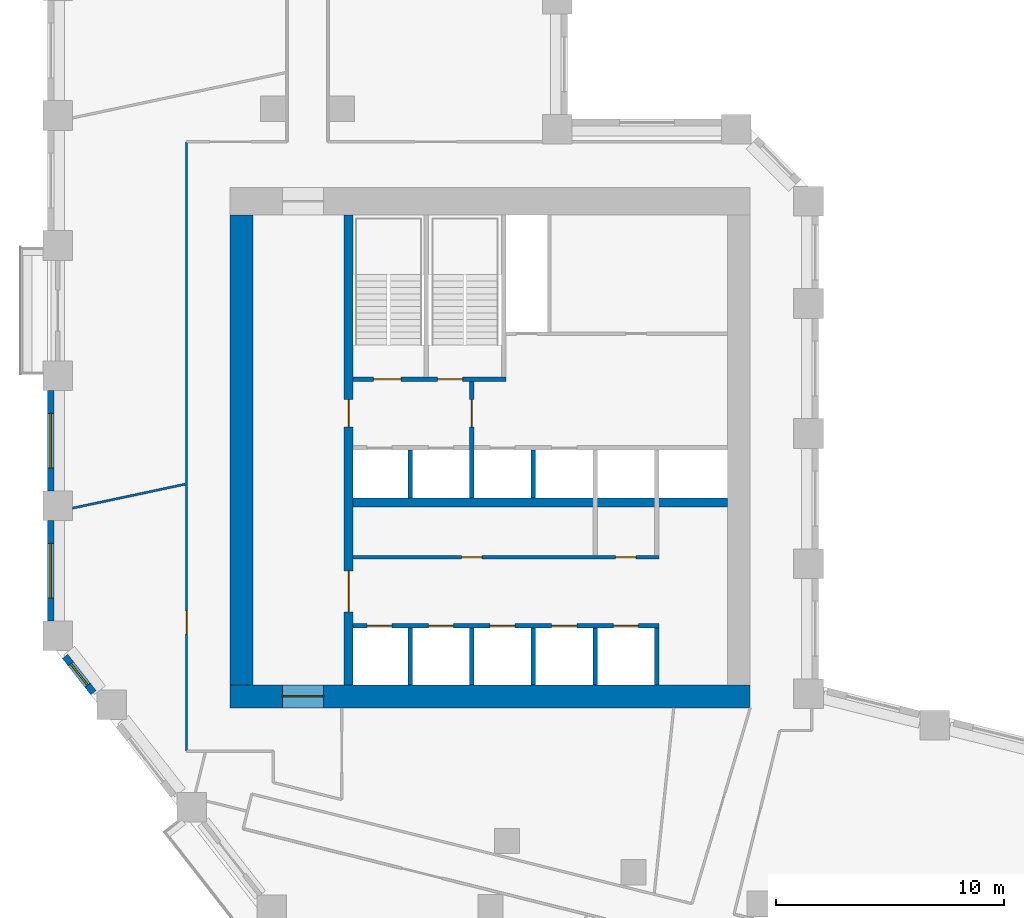
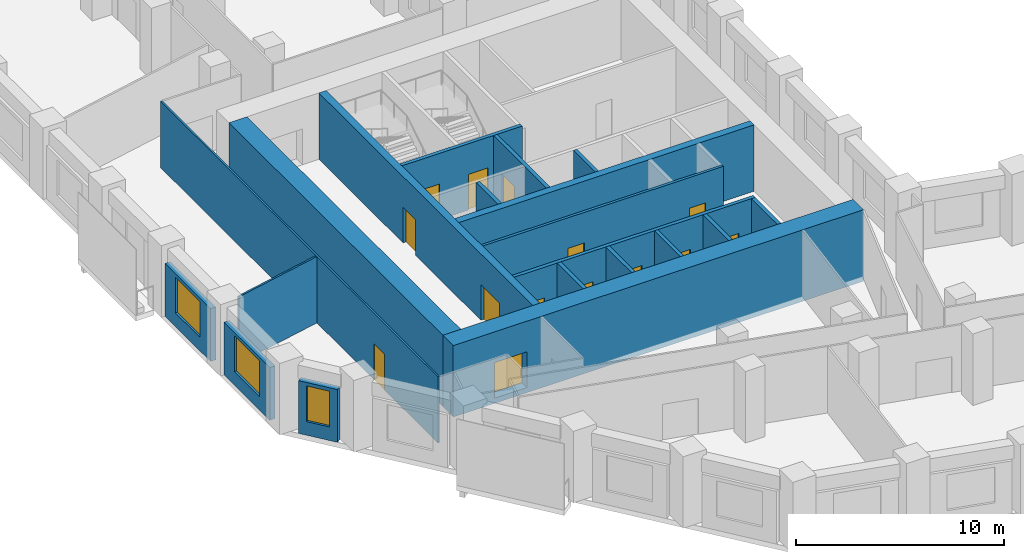
# One storey, part 4 of 11: 20 walls, 14 doors, 3 windows, 17 openings.
"""IFC4 building model written with IfcOpenShell, lengths in metres."""

from ifc_helpers import new_model, si_unit, direction, frame, frame_2d, origin, place, context, subcontext, project, spatial, rectangle, extrude, material, layer, layer_set, type_object, element, fill, save


model = new_model("IFC4")

# Units and contexts
model_context = context("Model", 3, precision=1e-05, world=origin(), true_north=direction((0.0, 1.0)))
body_context = subcontext(model_context, "Body", "Model", "MODEL_VIEW")
ifc_project = project(units=[si_unit("LENGTHUNIT", "METRE"), si_unit("AREAUNIT", "SQUARE_METRE"), si_unit("VOLUMEUNIT", "CUBIC_METRE"), si_unit("PLANEANGLEUNIT", "RADIAN"), si_unit("MASSUNIT", "GRAM", prefix="KILO")], contexts=[model_context])

# Site, building, storey
site_placement = place(None, origin())
site = spatial("IfcSite", under=ifc_project, at=site_placement, CompositionType="ELEMENT")
building_placement = place(site_placement, origin())
building = spatial("IfcBuilding", under=site, at=building_placement, Name="Meshkara Civic Tower", CompositionType="ELEMENT")
storey_placement = place(building_placement, frame((0.0, 0.0, 139.199951171875)))
storey = spatial("IfcBuildingStorey", under=building, at=storey_placement, Name="L31", CompositionType="ELEMENT", Elevation=139.199951171875)

# Wall, openings, doors
ifc_material_1 = material(Name="Blockwork", Category="masonry")
ifc_layer_1 = layer(ifc_material_1, 0.14990234375)
ifc_layer_set_1 = layer_set([ifc_layer_1], Name="Core partition 150")
wall_type_1 = type_object("IfcWallType", Name="Core partition 150", PredefinedType="PARTITIONING", material=ifc_layer_set_1)
wall_1_placement = place(storey_placement, frame((13.39990234375, 20.699951171875, 0.0), z_axis=(0.0, 0.0, 1.0), x_axis=(1.0, 0.0, 0.0)))
wall_1 = element("IfcWall", 1, at=wall_1_placement, inside=storey, type_object=wall_type_1, Name="L31-C006", PredefinedType="PARTITIONING", context=body_context, shape_type="SweptSolid", body=[
    extrude(rectangle(XDim=13.400146484375, YDim=0.14990234375, at=frame_2d((6.7001953125, 0.0))), origin(), (0.0, 0.0, 1.0), 3.900146484375),
])
opening_1_placement = place(wall_1_placement, frame((4.75, 0.0, 0.0)))
opening_1 = element("IfcOpeningElement", 2, at=opening_1_placement, cuts=wall_1, Name="Opening L31-K010", PredefinedType="OPENING", context=body_context, shape_type="SweptSolid", body=[
    extrude(rectangle(XDim=0.89990234375, YDim=2.10009765625, at=frame_2d((0.449951171875, 1.050048828125))), frame((0.0, 0.0849609375, 0.0), z_axis=(0.0, -1.0, 0.0), x_axis=(1.0, 0.0, 0.0)), (0.0, 0.0, 1.0), 0.169921875),
])
opening_2_placement = place(wall_1_placement, frame((11.5, 0.0, 0.0)))
opening_2 = element("IfcOpeningElement", 3, at=opening_2_placement, cuts=wall_1, Name="Opening L31-K011", PredefinedType="OPENING", context=body_context, shape_type="SweptSolid", body=[
    extrude(rectangle(XDim=0.89990234375, YDim=2.10009765625, at=frame_2d((0.449951171875, 1.050048828125))), frame((0.0, 0.0849609375, 0.0), z_axis=(0.0, -1.0, 0.0), x_axis=(1.0, 0.0, 0.0)), (0.0, 0.0, 1.0), 0.169921875),
])
ifc_material_2 = material(Name="Timber door leaf in steel frame", Category="steel")
door_type_1 = type_object("IfcDoorType", Name="Core room door 900", OperationType="SINGLE_SWING_LEFT", PredefinedType="DOOR", material=ifc_material_2)
door_1_placement = place(opening_1_placement, origin())
door_1 = element("IfcDoor", 4, at=door_1_placement, inside=storey, type_object=door_type_1, Name="L31-K010", OperationType="SINGLE_SWING_RIGHT", OverallHeight=2.10009765625, OverallWidth=0.89990234375, PredefinedType="DOOR", context=body_context, shape_type="SweptSolid", body=[
    extrude(rectangle(XDim=0.89990234375, YDim=2.10009765625, at=frame_2d((0.449951171875, 1.050048828125))), frame((0.0, 0.02490234375, 0.0), z_axis=(0.0, -1.0, 0.0), x_axis=(1.0, 0.0, 0.0)), (0.0, 0.0, 1.0), 0.050048828125),
])
fill(opening_1, door_1)
door_2_placement = place(opening_2_placement, origin())
door_2 = element("IfcDoor", 5, at=door_2_placement, inside=storey, type_object=door_type_1, Name="L31-K011", OperationType="SINGLE_SWING_RIGHT", OverallHeight=2.10009765625, OverallWidth=0.89990234375, PredefinedType="DOOR", context=body_context, shape_type="SweptSolid", body=[
    extrude(rectangle(XDim=0.89990234375, YDim=2.10009765625, at=frame_2d((0.449951171875, 1.050048828125))), frame((0.0, 0.02490234375, 0.0), z_axis=(0.0, -1.0, 0.0), x_axis=(1.0, 0.0, 0.0)), (0.0, 0.0, 1.0), 0.050048828125),
])
fill(opening_2, door_2)

# Wall, opening, door
ifc_material_3 = material(Name="Concrete C70", Category="concrete")
ifc_layer_2 = layer(ifc_material_3, 1.0)
ifc_layer_set_2 = layer_set([ifc_layer_2], Name="Core ring wall 1000 C70")
wall_type_2 = type_object("IfcWallType", Name="Core ring wall 1000 C70", PredefinedType="SHEAR", material=ifc_layer_set_2)
wall_2_placement = place(storey_placement, frame((8.0, 14.60009765625, -0.300048828125), z_axis=(0.0, 0.0, 1.0), x_axis=(1.0, 0.0, 0.0)))
wall_2 = element("IfcWall", 6, at=wall_2_placement, inside=storey, type_object=wall_type_2, Name="L31-C001", PredefinedType="SHEAR", context=body_context, shape_type="SweptSolid", body=[
    extrude(rectangle(XDim=22.800048828125, YDim=1.0, at=frame_2d((11.39990234375, 0.0))), origin(), (0.0, 0.0, 1.0), 4.2001953125),
])
opening_3_placement = place(wall_2_placement, frame((2.300048828125, 0.0, 0.300048828125)))
opening_3 = element("IfcOpeningElement", 7, at=opening_3_placement, cuts=wall_2, Name="Opening L31-K020", PredefinedType="OPENING", context=body_context, shape_type="SweptSolid", body=[
    extrude(rectangle(XDim=1.800048828125, YDim=2.10009765625, at=frame_2d((0.89990234375, 1.050048828125))), frame((0.0, 0.510009765625, 0.0), z_axis=(0.0, -1.0, 0.0), x_axis=(1.0, 0.0, 0.0)), (0.0, 0.0, 1.0), 1.02001953125),
])
ifc_material_4 = material(Name="Fire-rated door leaf in steel frame", Category="steel")
door_type_2 = type_object("IfcDoorType", Name="Core double door 1800 EI 60", OperationType="DOUBLE_DOOR_SINGLE_SWING", PredefinedType="DOOR", material=ifc_material_4)
door_3_placement = place(opening_3_placement, origin())
door_3 = element("IfcDoor", 8, at=door_3_placement, inside=storey, type_object=door_type_2, Name="L31-K020", OperationType="DOUBLE_DOOR_SINGLE_SWING", OverallHeight=2.10009765625, OverallWidth=1.800048828125, PredefinedType="DOOR", context=body_context, shape_type="SweptSolid", body=[
    extrude(rectangle(XDim=1.800048828125, YDim=2.10009765625, at=frame_2d((0.89990234375, 1.050048828125))), frame((0.0, 0.02490234375, 0.0), z_axis=(0.0, -1.0, 0.0), x_axis=(1.0, 0.0, 0.0)), (0.0, 0.0, 1.0), 0.050048828125),
])
fill(opening_3, door_3)

# Walls
wall_3_placement = place(storey_placement, frame((8.5, 15.10009765625, -0.300048828125), z_axis=(0.0, 0.0, 1.0), x_axis=(0.0, 1.0, 0.0)))
element("IfcWall", 9, at=wall_3_placement, inside=storey, type_object=wall_type_2, Name="L31-C003", PredefinedType="SHEAR", context=body_context, shape_type="SweptSolid", body=[
    extrude(rectangle(XDim=20.599853515625, YDim=1.0, at=frame_2d((10.2998046875, 0.0))), origin(), (0.0, 0.0, 1.0), 4.2001953125),
])
ifc_material_5 = material(Name="Concrete C70", Category="concrete")
ifc_layer_3 = layer(ifc_material_5, 0.39990234375)
ifc_layer_set_3 = layer_set([ifc_layer_3], Name="Core shear wall 400 C70")
wall_type_3 = type_object("IfcWallType", Name="Core shear wall 400 C70", PredefinedType="SHEAR", material=ifc_layer_set_3)
wall_4_placement = place(storey_placement, frame((13.39990234375, 23.10009765625, 0.0), z_axis=(0.0, 0.0, 1.0), x_axis=(1.0, 0.0, 0.0)))
element("IfcWall", 10, at=wall_4_placement, inside=storey, type_object=wall_type_3, Name="L31-C007", PredefinedType="SHEAR", context=body_context, shape_type="SweptSolid", body=[
    extrude(rectangle(XDim=16.400146484375, YDim=0.39990234375, at=frame_2d((8.2001953125, 0.0))), origin(), (0.0, 0.0, 1.0), 3.900146484375),
])

# Wall, openings, doors
wall_5_placement = place(storey_placement, frame((13.199951171875, 15.10009765625, 0.0), z_axis=(0.0, 0.0, 1.0), x_axis=(0.0, 1.0, 0.0)))
wall_5 = element("IfcWall", 11, at=wall_5_placement, inside=storey, type_object=wall_type_3, Name="L31-C011", PredefinedType="SHEAR", context=body_context, shape_type="SweptSolid", body=[
    extrude(rectangle(XDim=20.599853515625, YDim=0.39990234375, at=frame_2d((10.2998046875, 0.0))), origin(), (0.0, 0.0, 1.0), 3.900146484375),
])
opening_4_placement = place(wall_5_placement, frame((3.199951171875, 0.0, 0.0)))
opening_4 = element("IfcOpeningElement", 12, at=opening_4_placement, cuts=wall_5, Name="Opening L31-K016", PredefinedType="OPENING", context=body_context, shape_type="SweptSolid", body=[
    extrude(rectangle(XDim=1.800048828125, YDim=2.10009765625, at=frame_2d((0.89990234375, 1.050048828125))), frame((0.0, 0.2099609375, 0.0), z_axis=(0.0, -1.0, 0.0), x_axis=(1.0, 0.0, 0.0)), (0.0, 0.0, 1.0), 0.419921875),
])
opening_5_placement = place(wall_5_placement, frame((11.300048828125, 0.0, 0.0)))
opening_5 = element("IfcOpeningElement", 13, at=opening_5_placement, cuts=wall_5, Name="Opening L31-K017", PredefinedType="OPENING", context=body_context, shape_type="SweptSolid", body=[
    extrude(rectangle(XDim=1.199951171875, YDim=2.10009765625, at=frame_2d((0.60009765625, 1.050048828125))), frame((0.0, 0.2099609375, 0.0), z_axis=(0.0, -1.0, 0.0), x_axis=(1.0, 0.0, 0.0)), (0.0, 0.0, 1.0), 0.419921875),
])
door_4_placement = place(opening_4_placement, origin())
door_4 = element("IfcDoor", 14, at=door_4_placement, inside=storey, type_object=door_type_2, Name="L31-K016", OperationType="DOUBLE_DOOR_SINGLE_SWING", OverallHeight=2.10009765625, OverallWidth=1.800048828125, PredefinedType="DOOR", context=body_context, shape_type="SweptSolid", body=[
    extrude(rectangle(XDim=1.800048828125, YDim=2.10009765625, at=frame_2d((0.89990234375, 1.050048828125))), frame((0.0, 0.02490234375, 0.0), z_axis=(0.0, -1.0, 0.0), x_axis=(1.0, 0.0, 0.0)), (0.0, 0.0, 1.0), 0.050048828125),
])
fill(opening_4, door_4)
ifc_material_6 = material(Name="Fire-rated door leaf in steel frame", Category="steel")
door_type_3 = type_object("IfcDoorType", Name="Fire-fighting lobby door 1200 EI 120", OperationType="SINGLE_SWING_LEFT", PredefinedType="DOOR", material=ifc_material_6)
door_5_placement = place(opening_5_placement, origin())
door_5 = element("IfcDoor", 15, at=door_5_placement, inside=storey, type_object=door_type_3, Name="L31-K017", OperationType="SINGLE_SWING_LEFT", OverallHeight=2.10009765625, OverallWidth=1.199951171875, PredefinedType="DOOR", context=body_context, shape_type="SweptSolid", body=[
    extrude(rectangle(XDim=1.199951171875, YDim=2.10009765625, at=frame_2d((0.60009765625, 1.050048828125))), frame((0.0, 0.02490234375, 0.0), z_axis=(0.0, -1.0, 0.0), x_axis=(1.0, 0.0, 0.0)), (0.0, 0.0, 1.0), 0.050048828125),
])
fill(opening_5, door_5)

# Wall, opening, door
ifc_material_7 = material(Name="Corridor wall 100")
ifc_layer_4 = layer(ifc_material_7, 0.10009765625)
ifc_layer_set_4 = layer_set([ifc_layer_4], Name="Corridor wall 100")
wall_type_4 = type_object("IfcWallType", Name="Corridor wall 100", PredefinedType="PARTITIONING", material=ifc_layer_set_4)
wall_6_placement = place(storey_placement, frame((6.10009765625, 38.89990234375, 0.0), z_axis=(0.0, 0.0, 1.0), x_axis=(0.0, -1.0, 0.0)))
wall_6 = element("IfcWall", 16, at=wall_6_placement, inside=storey, type_object=wall_type_4, Name="L31-W005", PredefinedType="PARTITIONING", context=body_context, shape_type="SweptSolid", body=[
    extrude(rectangle(XDim=26.699951171875, YDim=0.10009765625, at=frame_2d((13.35009765625, 0.0))), origin(), (0.0, 0.0, 1.0), 3.900146484375),
])
opening_6_placement = place(wall_6_placement, frame((20.569091796875, 0.0, 0.0)))
opening_6 = element("IfcOpeningElement", 17, at=opening_6_placement, cuts=wall_6, Name="Opening L31-D014", PredefinedType="OPENING", context=body_context, shape_type="SweptSolid", body=[
    extrude(rectangle(XDim=1.0, YDim=2.10009765625, at=frame_2d((0.5, 1.050048828125))), frame((0.0, 0.06005859375, 0.0), z_axis=(0.0, -1.0, 0.0), x_axis=(1.0, 0.0, 0.0)), (0.0, 0.0, 1.0), 0.1201171875),
])
ifc_material_8 = material(Name="Door 1000 x 2100")
door_type_4 = type_object("IfcDoorType", Name="Door 1000 x 2100", OperationType="SINGLE_SWING_LEFT", PredefinedType="DOOR", material=ifc_material_8)
door_6_placement = place(opening_6_placement, origin())
door_6 = element("IfcDoor", 18, at=door_6_placement, inside=storey, type_object=door_type_4, Name="L31-D014", OperationType="SINGLE_SWING_LEFT", OverallHeight=2.10009765625, OverallWidth=1.0, PredefinedType="DOOR", context=body_context, shape_type="SweptSolid", body=[
    extrude(rectangle(XDim=1.0, YDim=2.10009765625, at=frame_2d((0.5, 1.050048828125))), frame((0.0, 0.02490234375, 0.0), z_axis=(0.0, -1.0, 0.0), x_axis=(1.0, 0.0, 0.0)), (0.0, 0.0, 1.0), 0.050048828125),
])
fill(opening_6, door_6)

# Wall, opening, window
ifc_material_9 = material(Name="Insulated infill panel with bronze anodised aluminium cladding", Category="aluminium")
ifc_layer_5 = layer(ifc_material_9, 0.300048828125)
ifc_layer_set_5 = layer_set([ifc_layer_5], Name="EXTERNAL INFILL WALL 300")
wall_type_5 = type_object("IfcWallType", Name="EXTERNAL INFILL WALL 300", PredefinedType="SOLIDWALL", material=ifc_layer_set_5)
wall_7_placement = place(storey_placement, frame((0.14990234375, 28.0048828125, 0.0), z_axis=(0.0, 0.0, 1.0), x_axis=(0.0, -1.0, 0.0)))
wall_7 = element("IfcWall", 19, at=wall_7_placement, inside=storey, type_object=wall_type_5, Name="External wall", PredefinedType="SOLIDWALL", context=body_context, shape_type="SweptSolid", body=[
    extrude(rectangle(XDim=4.39990234375, YDim=0.300048828125, at=frame_2d((2.199951171875, 0.0))), origin(), (0.0, 0.0, 1.0), 3.10009765625),
])
opening_7_placement = place(wall_7_placement, frame((1.0, 0.0, 0.800048828125)))
opening_7 = element("IfcOpeningElement", 20, at=opening_7_placement, cuts=wall_7, Name="Opening W7", PredefinedType="OPENING", context=body_context, shape_type="SweptSolid", body=[
    extrude(rectangle(XDim=2.39990234375, YDim=2.10009765625, at=frame_2d((1.199951171875, 1.050048828125))), frame((0.0, 0.159912109375, 0.0), z_axis=(0.0, -1.0, 0.0), x_axis=(1.0, 0.0, 0.0)), (0.0, 0.0, 1.0), 0.320068359375),
])
ifc_material_10 = material(Name="Tinted double glazing", Category="glass")
window_type_1 = type_object("IfcWindowType", Name="WINDOW 2400x2100", PartitioningType="DOUBLE_PANEL_VERTICAL", PredefinedType="WINDOW", material=ifc_material_10)
window_1_placement = place(opening_7_placement, origin())
window_1 = element("IfcWindow", 21, at=window_1_placement, inside=storey, type_object=window_type_1, Name="Window", OverallHeight=2.10009765625, OverallWidth=2.39990234375, PartitioningType="DOUBLE_PANEL_VERTICAL", PredefinedType="WINDOW", context=body_context, shape_type="SweptSolid", body=[
    extrude(rectangle(XDim=2.39990234375, YDim=2.10009765625, at=frame_2d((1.199951171875, 1.050048828125))), frame((0.0, 0.030029296875, 0.0), z_axis=(0.0, -1.0, 0.0), x_axis=(1.0, 0.0, 0.0)), (0.0, 0.0, 1.0), 0.06005859375),
])
fill(opening_7, window_1)

wall_8_placement = place(storey_placement, frame((0.14990234375, 22.304931640625, 0.0), z_axis=(0.0, 0.0, 1.0), x_axis=(0.0, -1.0, 0.0)))
wall_8 = element("IfcWall", 22, at=wall_8_placement, inside=storey, type_object=wall_type_5, Name="External wall", PredefinedType="SOLIDWALL", context=body_context, shape_type="SweptSolid", body=[
    extrude(rectangle(XDim=4.39990234375, YDim=0.300048828125, at=frame_2d((2.199951171875, 0.0))), origin(), (0.0, 0.0, 1.0), 3.10009765625),
])
opening_8_placement = place(wall_8_placement, frame((1.0, 0.0, 0.800048828125)))
opening_8 = element("IfcOpeningElement", 23, at=opening_8_placement, cuts=wall_8, Name="Opening W7", PredefinedType="OPENING", context=body_context, shape_type="SweptSolid", body=[
    extrude(rectangle(XDim=2.39990234375, YDim=2.10009765625, at=frame_2d((1.199951171875, 1.050048828125))), frame((0.0, 0.159912109375, 0.0), z_axis=(0.0, -1.0, 0.0), x_axis=(1.0, 0.0, 0.0)), (0.0, 0.0, 1.0), 0.320068359375),
])
window_2_placement = place(opening_8_placement, origin())
window_2 = element("IfcWindow", 24, at=window_2_placement, inside=storey, type_object=window_type_1, Name="Window", OverallHeight=2.10009765625, OverallWidth=2.39990234375, PartitioningType="DOUBLE_PANEL_VERTICAL", PredefinedType="WINDOW", context=body_context, shape_type="SweptSolid", body=[
    extrude(rectangle(XDim=2.39990234375, YDim=2.10009765625, at=frame_2d((1.199951171875, 1.050048828125))), frame((0.0, 0.030029296875, 0.0), z_axis=(0.0, -1.0, 0.0), x_axis=(1.0, 0.0, 0.0)), (0.0, 0.0, 1.0), 0.06005859375),
])
fill(opening_8, window_2)

wall_9_placement = place(storey_placement, frame((0.77490234375, 16.35107421875, 0.0), z_axis=(0.0, 0.0, 1.0), x_axis=(0.6157921118, -0.787908671766, 0.0)))
wall_9 = element("IfcWall", 25, at=wall_9_placement, inside=storey, type_object=wall_type_5, Name="External wall", PredefinedType="SOLIDWALL", context=body_context, shape_type="SweptSolid", body=[
    extrude(rectangle(XDim=2.015625, YDim=0.300048828125, at=frame_2d((1.0078125, 0.0))), origin(), (0.0, 0.0, 1.0), 3.10009765625),
])
opening_9_placement = place(wall_9_placement, frame((0.407958984375, 0.0, 0.800048828125)))
opening_9 = element("IfcOpeningElement", 26, at=opening_9_placement, cuts=wall_9, Name="Opening W3", PredefinedType="OPENING", context=body_context, shape_type="SweptSolid", body=[
    extrude(rectangle(XDim=1.199951171875, YDim=2.10009765625, at=frame_2d((0.60009765625, 1.050048828125))), frame((0.0, 0.159912109375, 0.0), z_axis=(0.0, -1.0, 0.0), x_axis=(1.0, 0.0, 0.0)), (0.0, 0.0, 1.0), 0.320068359375),
])
ifc_material_11 = material(Name="Tinted double glazing", Category="glass")
window_type_2 = type_object("IfcWindowType", Name="WINDOW 1200x2100", PartitioningType="SINGLE_PANEL", PredefinedType="WINDOW", material=ifc_material_11)
window_3_placement = place(opening_9_placement, origin())
window_3 = element("IfcWindow", 27, at=window_3_placement, inside=storey, type_object=window_type_2, Name="Window", OverallHeight=2.10009765625, OverallWidth=1.199951171875, PartitioningType="SINGLE_PANEL", PredefinedType="WINDOW", context=body_context, shape_type="SweptSolid", body=[
    extrude(rectangle(XDim=1.199951171875, YDim=2.10009765625, at=frame_2d((0.60009765625, 1.050048828125))), frame((0.0, 0.030029296875, 0.0), z_axis=(0.0, -1.0, 0.0), x_axis=(1.0, 0.0, 0.0)), (0.0, 0.0, 1.0), 0.06005859375),
])
fill(opening_9, window_3)

# Wall
ifc_material_12 = material(Name="Partition 100")
ifc_layer_6 = layer(ifc_material_12, 0.10009765625)
ifc_layer_set_6 = layer_set([ifc_layer_6], Name="Partition 100")
wall_type_6 = type_object("IfcWallType", Name="Partition 100", PredefinedType="PARTITIONING", material=ifc_layer_set_6)
wall_10_placement = place(storey_placement, frame((6.0400390625, 23.89794921875, 0.0), z_axis=(0.0, 0.0, 1.0), x_axis=(-0.978146317441, -0.207917728146, 0.0)))
element("IfcWall", 28, at=wall_10_placement, inside=storey, type_object=wall_type_6, Name="L31-W033", PredefinedType="PARTITIONING", context=body_context, shape_type="SweptSolid", body=[
    extrude(rectangle(XDim=5.05029296875, YDim=0.10009765625, at=frame_2d((2.525146484375, 0.0))), origin(), (0.0, 0.0, 1.0), 3.900146484375),
])

# Wall, openings, doors
ifc_material_13 = material(Name="Concrete C40/50", Category="concrete")
ifc_layer_7 = layer(ifc_material_13, 0.199951171875)
ifc_layer_set_7 = layer_set([ifc_layer_7], Name="Shaft wall 200 C40/50")
wall_type_7 = type_object("IfcWallType", Name="Shaft wall 200 C40/50", PredefinedType="SOLIDWALL", material=ifc_layer_set_7)
wall_11_placement = place(storey_placement, frame((13.39990234375, 17.699951171875, 0.0), z_axis=(0.0, 0.0, 1.0), x_axis=(1.0, 0.0, 0.0)))
wall_11 = element("IfcWall", 29, at=wall_11_placement, inside=storey, type_object=wall_type_7, Name="L31-C005", PredefinedType="SOLIDWALL", context=body_context, shape_type="SweptSolid", body=[
    extrude(rectangle(XDim=13.400146484375, YDim=0.199951171875, at=frame_2d((6.7001953125, 0.0))), origin(), (0.0, 0.0, 1.0), 3.900146484375),
])
opening_10_placement = place(wall_11_placement, frame((0.60009765625, 0.0, 0.0)))
opening_10 = element("IfcOpeningElement", 30, at=opening_10_placement, cuts=wall_11, Name="Opening L31-K001", PredefinedType="OPENING", context=body_context, shape_type="SweptSolid", body=[
    extrude(rectangle(XDim=1.10009765625, YDim=2.10009765625, at=frame_2d((0.550048828125, 1.050048828125))), frame((0.0, 0.10986328125, 0.0), z_axis=(0.0, -1.0, 0.0), x_axis=(1.0, 0.0, 0.0)), (0.0, 0.0, 1.0), 0.219970703125),
])
opening_11_placement = place(wall_11_placement, frame((3.300048828125, 0.0, 0.0)))
opening_11 = element("IfcOpeningElement", 31, at=opening_11_placement, cuts=wall_11, Name="Opening L31-K002", PredefinedType="OPENING", context=body_context, shape_type="SweptSolid", body=[
    extrude(rectangle(XDim=1.10009765625, YDim=2.10009765625, at=frame_2d((0.550048828125, 1.050048828125))), frame((0.0, 0.10986328125, 0.0), z_axis=(0.0, -1.0, 0.0), x_axis=(1.0, 0.0, 0.0)), (0.0, 0.0, 1.0), 0.219970703125),
])
opening_12_placement = place(wall_11_placement, frame((6.0, 0.0, 0.0)))
opening_12 = element("IfcOpeningElement", 32, at=opening_12_placement, cuts=wall_11, Name="Opening L31-K003", PredefinedType="OPENING", context=body_context, shape_type="SweptSolid", body=[
    extrude(rectangle(XDim=1.10009765625, YDim=2.10009765625, at=frame_2d((0.550048828125, 1.050048828125))), frame((0.0, 0.10986328125, 0.0), z_axis=(0.0, -1.0, 0.0), x_axis=(1.0, 0.0, 0.0)), (0.0, 0.0, 1.0), 0.219970703125),
])
opening_13_placement = place(wall_11_placement, frame((8.699951171875, 0.0, 0.0)))
opening_13 = element("IfcOpeningElement", 33, at=opening_13_placement, cuts=wall_11, Name="Opening L31-K004", PredefinedType="OPENING", context=body_context, shape_type="SweptSolid", body=[
    extrude(rectangle(XDim=1.10009765625, YDim=2.10009765625, at=frame_2d((0.550048828125, 1.050048828125))), frame((0.0, 0.10986328125, 0.0), z_axis=(0.0, -1.0, 0.0), x_axis=(1.0, 0.0, 0.0)), (0.0, 0.0, 1.0), 0.219970703125),
])
opening_14_placement = place(wall_11_placement, frame((11.39990234375, 0.0, 0.0)))
opening_14 = element("IfcOpeningElement", 34, at=opening_14_placement, cuts=wall_11, Name="Opening L31-K005", PredefinedType="OPENING", context=body_context, shape_type="SweptSolid", body=[
    extrude(rectangle(XDim=1.10009765625, YDim=2.10009765625, at=frame_2d((0.550048828125, 1.050048828125))), frame((0.0, 0.10986328125, 0.0), z_axis=(0.0, -1.0, 0.0), x_axis=(1.0, 0.0, 0.0)), (0.0, 0.0, 1.0), 0.219970703125),
])
ifc_material_14 = material(Name="Stainless steel landing door", Category="steel")
door_type_5 = type_object("IfcDoorType", Name="Lift landing door 1100", OperationType="SLIDING_TO_LEFT", PredefinedType="DOOR", material=ifc_material_14)
door_7_placement = place(opening_10_placement, origin())
door_7 = element("IfcDoor", 35, at=door_7_placement, inside=storey, type_object=door_type_5, Name="L31-K001", OperationType="SLIDING_TO_LEFT", OverallHeight=2.10009765625, OverallWidth=1.10009765625, PredefinedType="DOOR", context=body_context, shape_type="SweptSolid", body=[
    extrude(rectangle(XDim=1.10009765625, YDim=2.10009765625, at=frame_2d((0.550048828125, 1.050048828125))), frame((0.0, 0.02490234375, 0.0), z_axis=(0.0, -1.0, 0.0), x_axis=(1.0, 0.0, 0.0)), (0.0, 0.0, 1.0), 0.050048828125),
])
fill(opening_10, door_7)
door_8_placement = place(opening_11_placement, origin())
door_8 = element("IfcDoor", 36, at=door_8_placement, inside=storey, type_object=door_type_5, Name="L31-K002", OperationType="SLIDING_TO_LEFT", OverallHeight=2.10009765625, OverallWidth=1.10009765625, PredefinedType="DOOR", context=body_context, shape_type="SweptSolid", body=[
    extrude(rectangle(XDim=1.10009765625, YDim=2.10009765625, at=frame_2d((0.550048828125, 1.050048828125))), frame((0.0, 0.02490234375, 0.0), z_axis=(0.0, -1.0, 0.0), x_axis=(1.0, 0.0, 0.0)), (0.0, 0.0, 1.0), 0.050048828125),
])
fill(opening_11, door_8)
door_9_placement = place(opening_12_placement, origin())
door_9 = element("IfcDoor", 37, at=door_9_placement, inside=storey, type_object=door_type_5, Name="L31-K003", OperationType="SLIDING_TO_LEFT", OverallHeight=2.10009765625, OverallWidth=1.10009765625, PredefinedType="DOOR", context=body_context, shape_type="SweptSolid", body=[
    extrude(rectangle(XDim=1.10009765625, YDim=2.10009765625, at=frame_2d((0.550048828125, 1.050048828125))), frame((0.0, 0.02490234375, 0.0), z_axis=(0.0, -1.0, 0.0), x_axis=(1.0, 0.0, 0.0)), (0.0, 0.0, 1.0), 0.050048828125),
])
fill(opening_12, door_9)
door_10_placement = place(opening_13_placement, origin())
door_10 = element("IfcDoor", 38, at=door_10_placement, inside=storey, type_object=door_type_5, Name="L31-K004", OperationType="SLIDING_TO_LEFT", OverallHeight=2.10009765625, OverallWidth=1.10009765625, PredefinedType="DOOR", context=body_context, shape_type="SweptSolid", body=[
    extrude(rectangle(XDim=1.10009765625, YDim=2.10009765625, at=frame_2d((0.550048828125, 1.050048828125))), frame((0.0, 0.02490234375, 0.0), z_axis=(0.0, -1.0, 0.0), x_axis=(1.0, 0.0, 0.0)), (0.0, 0.0, 1.0), 0.050048828125),
])
fill(opening_13, door_10)
door_11_placement = place(opening_14_placement, origin())
door_11 = element("IfcDoor", 39, at=door_11_placement, inside=storey, type_object=door_type_5, Name="L31-K005", OperationType="SLIDING_TO_LEFT", OverallHeight=2.10009765625, OverallWidth=1.10009765625, PredefinedType="DOOR", context=body_context, shape_type="SweptSolid", body=[
    extrude(rectangle(XDim=1.10009765625, YDim=2.10009765625, at=frame_2d((0.550048828125, 1.050048828125))), frame((0.0, 0.02490234375, 0.0), z_axis=(0.0, -1.0, 0.0), x_axis=(1.0, 0.0, 0.0)), (0.0, 0.0, 1.0), 0.050048828125),
])
fill(opening_14, door_11)

# Walls
wall_12_placement = place(storey_placement, frame((15.89990234375, 15.10009765625, 0.0), z_axis=(0.0, 0.0, 1.0), x_axis=(0.0, 1.0, 0.0)))
element("IfcWall", 40, at=wall_12_placement, inside=storey, type_object=wall_type_7, Name="L31-C012", PredefinedType="SOLIDWALL", context=body_context, shape_type="SweptSolid", body=[
    extrude(rectangle(XDim=2.5, YDim=0.199951171875, at=frame_2d((1.25, 0.0))), origin(), (0.0, 0.0, 1.0), 3.900146484375),
])
wall_13_placement = place(storey_placement, frame((15.89990234375, 23.300048828125, 0.0), z_axis=(0.0, 0.0, 1.0), x_axis=(0.0, 1.0, 0.0)))
element("IfcWall", 41, at=wall_13_placement, inside=storey, type_object=wall_type_7, Name="L31-C013", PredefinedType="SOLIDWALL", context=body_context, shape_type="SweptSolid", body=[
    extrude(rectangle(XDim=2.099853515625, YDim=0.199951171875, at=frame_2d((1.0498046875, 0.0))), origin(), (0.0, 0.0, 1.0), 3.900146484375),
])
wall_14_placement = place(storey_placement, frame((18.60009765625, 15.10009765625, 0.0), z_axis=(0.0, 0.0, 1.0), x_axis=(0.0, 1.0, 0.0)))
element("IfcWall", 42, at=wall_14_placement, inside=storey, type_object=wall_type_7, Name="L31-C015", PredefinedType="SOLIDWALL", context=body_context, shape_type="SweptSolid", body=[
    extrude(rectangle(XDim=2.5, YDim=0.199951171875, at=frame_2d((1.25, 0.0))), origin(), (0.0, 0.0, 1.0), 3.900146484375),
])

# Wall, opening, door
wall_15_placement = place(storey_placement, frame((18.60009765625, 23.300048828125, 0.0), z_axis=(0.0, 0.0, 1.0), x_axis=(0.0, 1.0, 0.0)))
wall_15 = element("IfcWall", 43, at=wall_15_placement, inside=storey, type_object=wall_type_7, Name="L31-C016", PredefinedType="SOLIDWALL", context=body_context, shape_type="SweptSolid", body=[
    extrude(rectangle(XDim=5.099853515625, YDim=0.199951171875, at=frame_2d((2.5498046875, 0.0))), origin(), (0.0, 0.0, 1.0), 3.900146484375),
])
opening_15_placement = place(wall_15_placement, frame((3.10009765625, 0.0, 0.0)))
opening_15 = element("IfcOpeningElement", 44, at=opening_15_placement, cuts=wall_15, Name="Opening L31-K018", PredefinedType="OPENING", context=body_context, shape_type="SweptSolid", body=[
    extrude(rectangle(XDim=1.199951171875, YDim=2.10009765625, at=frame_2d((0.60009765625, 1.050048828125))), frame((0.0, 0.10986328125, 0.0), z_axis=(0.0, -1.0, 0.0), x_axis=(1.0, 0.0, 0.0)), (0.0, 0.0, 1.0), 0.219970703125),
])
door_12_placement = place(opening_15_placement, origin())
door_12 = element("IfcDoor", 45, at=door_12_placement, inside=storey, type_object=door_type_3, Name="L31-K018", OperationType="SINGLE_SWING_RIGHT", OverallHeight=2.10009765625, OverallWidth=1.199951171875, PredefinedType="DOOR", context=body_context, shape_type="SweptSolid", body=[
    extrude(rectangle(XDim=1.199951171875, YDim=2.10009765625, at=frame_2d((0.60009765625, 1.050048828125))), frame((0.0, 0.02490234375, 0.0), z_axis=(0.0, -1.0, 0.0), x_axis=(1.0, 0.0, 0.0)), (0.0, 0.0, 1.0), 0.050048828125),
])
fill(opening_15, door_12)

# Walls
wall_16_placement = place(storey_placement, frame((21.300048828125, 15.10009765625, 0.0), z_axis=(0.0, 0.0, 1.0), x_axis=(0.0, 1.0, 0.0)))
element("IfcWall", 46, at=wall_16_placement, inside=storey, type_object=wall_type_7, Name="L31-C018", PredefinedType="SOLIDWALL", context=body_context, shape_type="SweptSolid", body=[
    extrude(rectangle(XDim=2.5, YDim=0.199951171875, at=frame_2d((1.25, 0.0))), origin(), (0.0, 0.0, 1.0), 3.900146484375),
])
wall_17_placement = place(storey_placement, frame((21.300048828125, 23.300048828125, 0.0), z_axis=(0.0, 0.0, 1.0), x_axis=(0.0, 1.0, 0.0)))
element("IfcWall", 47, at=wall_17_placement, inside=storey, type_object=wall_type_7, Name="L31-C019", PredefinedType="SOLIDWALL", context=body_context, shape_type="SweptSolid", body=[
    extrude(rectangle(XDim=2.099853515625, YDim=0.199951171875, at=frame_2d((1.0498046875, 0.0))), origin(), (0.0, 0.0, 1.0), 3.900146484375),
])
for number, where, z_axis, x_axis, name in (
    (48, (24.0, 15.10009765625, 0.0), (0.0, 0.0, 1.0), (0.0, 1.0, 0.0), "L31-C021"),
    (49, (26.699951171875, 15.10009765625, 0.0), (0.0, 0.0, 1.0), (0.0, 1.0, 0.0), "L31-C023"),
):
    element("IfcWall", number, at=place(storey_placement, frame(where, z_axis=z_axis, x_axis=x_axis)), inside=storey, type_object=wall_type_7, Name=name, PredefinedType="SOLIDWALL", context=body_context, shape_type="SweptSolid", body=[
        extrude(rectangle(XDim=2.5, YDim=0.199951171875, at=frame_2d((1.25, 0.0))), origin(), (0.0, 0.0, 1.0), 3.900146484375),
    ])

# Wall, openings, doors
ifc_material_15 = material(Name="Concrete C40/50", Category="concrete")
ifc_layer_8 = layer(ifc_material_15, 0.199951171875)
ifc_layer_set_8 = layer_set([ifc_layer_8], Name="Stair enclosure wall 200 C40/50")
wall_type_8 = type_object("IfcWallType", Name="Stair enclosure wall 200 C40/50", PredefinedType="SOLIDWALL", material=ifc_layer_set_8)
wall_18_placement = place(storey_placement, frame((13.39990234375, 28.5, 0.0), z_axis=(0.0, 0.0, 1.0), x_axis=(1.0, 0.0, 0.0)))
wall_18 = element("IfcWall", 50, at=wall_18_placement, inside=storey, type_object=wall_type_8, Name="L31-C009", PredefinedType="SOLIDWALL", context=body_context, shape_type="SweptSolid", body=[
    extrude(rectangle(XDim=6.7001953125, YDim=0.199951171875, at=frame_2d((3.35009765625, 0.0))), origin(), (0.0, 0.0, 1.0), 3.900146484375),
])
opening_16_placement = place(wall_18_placement, frame((0.89990234375, 0.0, 0.0)))
opening_16 = element("IfcOpeningElement", 51, at=opening_16_placement, cuts=wall_18, Name="Opening L31-K014", PredefinedType="OPENING", context=body_context, shape_type="SweptSolid", body=[
    extrude(rectangle(XDim=1.199951171875, YDim=2.10009765625, at=frame_2d((0.60009765625, 1.050048828125))), frame((0.0, 0.10986328125, 0.0), z_axis=(0.0, -1.0, 0.0), x_axis=(1.0, 0.0, 0.0)), (0.0, 0.0, 1.0), 0.219970703125),
])
opening_17_placement = place(wall_18_placement, frame((3.699951171875, 0.0, 0.0)))
opening_17 = element("IfcOpeningElement", 52, at=opening_17_placement, cuts=wall_18, Name="Opening L31-K015", PredefinedType="OPENING", context=body_context, shape_type="SweptSolid", body=[
    extrude(rectangle(XDim=1.10009765625, YDim=2.10009765625, at=frame_2d((0.550048828125, 1.050048828125))), frame((0.0, 0.10986328125, 0.0), z_axis=(0.0, -1.0, 0.0), x_axis=(1.0, 0.0, 0.0)), (0.0, 0.0, 1.0), 0.219970703125),
])
ifc_material_16 = material(Name="Fire-rated door leaf in steel frame", Category="steel")
door_type_6 = type_object("IfcDoorType", Name="Stair door 1100 EI 120", OperationType="SINGLE_SWING_LEFT", PredefinedType="DOOR", material=ifc_material_16)
door_13_placement = place(opening_17_placement, origin())
door_13 = element("IfcDoor", 53, at=door_13_placement, inside=storey, type_object=door_type_6, Name="L31-K015", OperationType="SINGLE_SWING_LEFT", OverallHeight=2.10009765625, OverallWidth=1.10009765625, PredefinedType="DOOR", context=body_context, shape_type="SweptSolid", body=[
    extrude(rectangle(XDim=1.10009765625, YDim=2.10009765625, at=frame_2d((0.550048828125, 1.050048828125))), frame((0.0, 0.02490234375, 0.0), z_axis=(0.0, -1.0, 0.0), x_axis=(1.0, 0.0, 0.0)), (0.0, 0.0, 1.0), 0.050048828125),
])
fill(opening_17, door_13)
ifc_material_17 = material(Name="Fire-rated door leaf in steel frame", Category="steel")
door_type_7 = type_object("IfcDoorType", Name="Stair door 1200 EI 120", OperationType="SINGLE_SWING_LEFT", PredefinedType="DOOR", material=ifc_material_17)
door_14_placement = place(opening_16_placement, origin())
door_14 = element("IfcDoor", 54, at=door_14_placement, inside=storey, type_object=door_type_7, Name="L31-K014", OperationType="SINGLE_SWING_RIGHT", OverallHeight=2.10009765625, OverallWidth=1.199951171875, PredefinedType="DOOR", context=body_context, shape_type="SweptSolid", body=[
    extrude(rectangle(XDim=1.199951171875, YDim=2.10009765625, at=frame_2d((0.60009765625, 1.050048828125))), frame((0.0, 0.02490234375, 0.0), z_axis=(0.0, -1.0, 0.0), x_axis=(1.0, 0.0, 0.0)), (0.0, 0.0, 1.0), 0.050048828125),
])
fill(opening_16, door_14)

save(model, "model.ifc")
